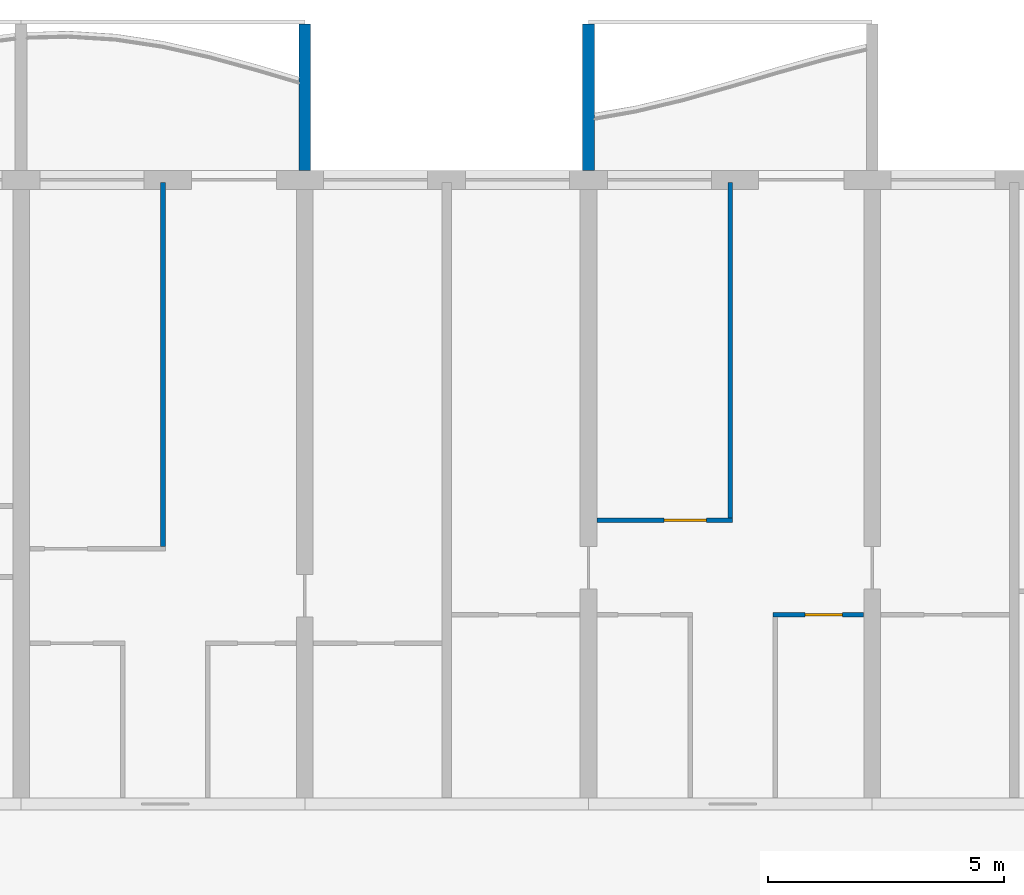
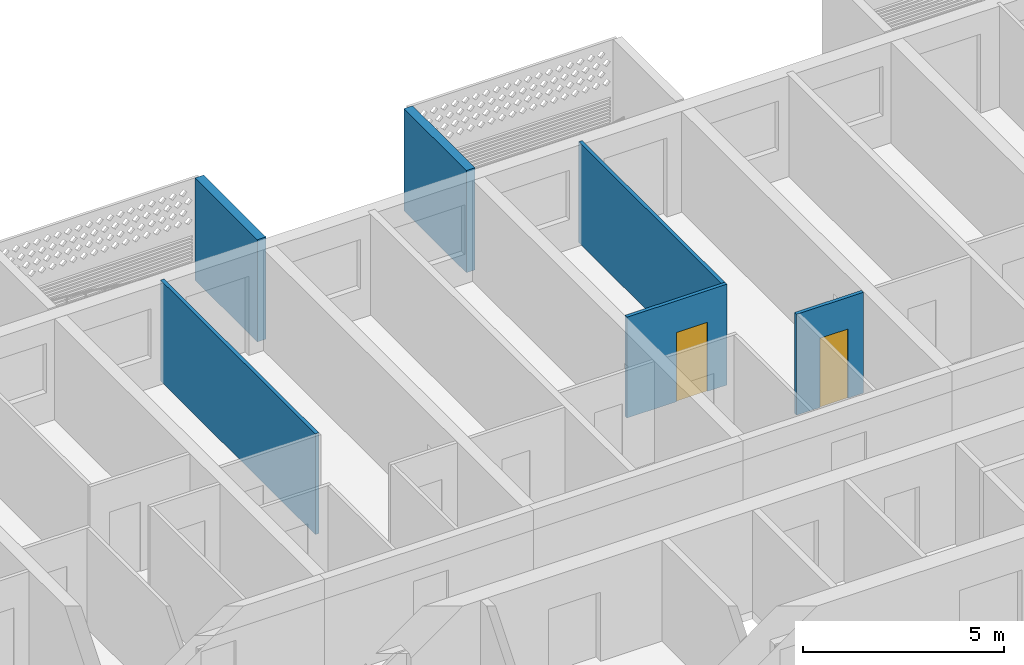
# One storey, part 11 of 25: 6 walls, 2 doors, 2 openings.
"""IFC4 building model written with IfcOpenShell, lengths in metres."""

from ifc_helpers import new_model, si_unit, direction, frame, frame_2d, origin, place, context, subcontext, project, spatial, polyline, rectangle, outline, extrude, source, transform, mapped, material, layer, layer_set, type_object, element, fill, save


model = new_model("IFC4")

# Units and contexts
model_context = context("Model", 3, precision=1e-05, world=origin(), true_north=direction((0.0, 1.0)))
body_context = subcontext(model_context, "Body", "Model", "MODEL_VIEW")
ifc_project = project(units=[si_unit("LENGTHUNIT", "METRE"), si_unit("AREAUNIT", "SQUARE_METRE"), si_unit("VOLUMEUNIT", "CUBIC_METRE"), si_unit("PLANEANGLEUNIT", "RADIAN"), si_unit("MASSUNIT", "GRAM", prefix="KILO")], contexts=[model_context])

# Site, building, storey
site_placement = place(None, origin())
site = spatial("IfcSite", under=ifc_project, at=site_placement, CompositionType="ELEMENT")
building_placement = place(site_placement, origin())
building = spatial("IfcBuilding", under=site, at=building_placement, Name="Poui Terraces", CompositionType="ELEMENT")
storey_placement = place(building_placement, frame((0.0, 0.0, 89.39990234375)))
storey = spatial("IfcBuildingStorey", under=building, at=storey_placement, Name="L24", CompositionType="ELEMENT", Elevation=89.39990234375)

# Wall, opening, door
ifc_material_1 = material(Name="Plasterboard partition")
ifc_layer_1 = layer(ifc_material_1, 0.10009765625)
ifc_layer_set_1 = layer_set([ifc_layer_1], Name="Plasterboard partition")
wall_type_1 = type_object("IfcWallType", Name="FLAT PARTITION 100", PredefinedType="PARTITIONING", material=ifc_layer_set_1)
wall_1_placement = place(storey_placement, frame((51.89990234375, 34.39990234375, 0.0), z_axis=(0.0, 0.0, 1.0), x_axis=(1.0, 0.0, 0.0)))
wall_1 = element("IfcWall", 1, at=wall_1_placement, inside=storey, type_object=wall_type_1, Name="FLAT PARTITION 100", PredefinedType="PARTITIONING", context=body_context, shape_type="SweptSolid", body=[
    extrude(rectangle(XDim=1.9150390625, YDim=0.10009765625, at=frame_2d((0.95751953125, 0.0))), origin(), (0.0, 0.0, 1.0), 3.06005859375),
])
opening_1_placement = place(wall_1_placement, frame((0.675048828125, 0.0, 0.0)))
opening_1 = element("IfcOpeningElement", 2, at=opening_1_placement, cuts=wall_1, Name="Opening D80", PredefinedType="OPENING", context=body_context, shape_type="SweptSolid", body=[
    extrude(rectangle(XDim=0.800048828125, YDim=2.10009765625, at=frame_2d((0.39990234375, 1.050048828125))), frame((0.0, 0.06005859375, 0.0), z_axis=(0.0, -1.0, 0.0), x_axis=(1.0, 0.0, 0.0)), (0.0, 0.0, 1.0), 0.1201171875),
])
ifc_material_2 = material(Name="Solid core timber door", Category="wood")
door_type_1 = type_object("IfcDoorType", Name="BATHROOM, LAUNDRY AND STORE DOOR 800 X 2100", OperationType="NOTDEFINED", PredefinedType="DOOR", material=ifc_material_2)
door_1_placement = place(opening_1_placement, frame((0.800048828125, 0.0, 0.0), z_axis=(0.0, 0.0, 1.0), x_axis=(-1.0, 0.0, 0.0)))
door_1 = element("IfcDoor", 3, at=door_1_placement, inside=storey, type_object=door_type_1, Name="BATHROOM, LAUNDRY AND STORE DOOR 059", OperationType="SINGLE_SWING_RIGHT", OverallHeight=2.10009765625, OverallWidth=0.800048828125, PredefinedType="DOOR", context=body_context, shape_type="SweptSolid", body=[
    extrude(rectangle(XDim=0.800048828125, YDim=2.10009765625, at=frame_2d((0.39990234375, 1.050048828125))), frame((0.0, 0.02490234375, 0.0), z_axis=(0.0, -1.0, 0.0), x_axis=(1.0, 0.0, 0.0)), (0.0, 0.0, 1.0), 0.050048828125),
])
fill(opening_1, door_1)

wall_2_placement = place(storey_placement, frame((48.18505859375, 36.39990234375, 0.0), z_axis=(0.0, 0.0, 1.0), x_axis=(1.0, 0.0, 0.0)))
wall_2 = element("IfcWall", 4, at=wall_2_placement, inside=storey, type_object=wall_type_1, Name="FLAT PARTITION 100", PredefinedType="PARTITIONING", context=body_context, shape_type="SweptSolid", body=[
    extrude(rectangle(XDim=2.864990234375, YDim=0.10009765625, at=frame_2d((1.4326171875, 0.0))), origin(), (0.0, 0.0, 1.0), 3.06005859375),
])
opening_2_placement = place(wall_2_placement, frame((1.4150390625, 0.0, 0.0)))
opening_2 = element("IfcOpeningElement", 5, at=opening_2_placement, cuts=wall_2, Name="Opening D90", PredefinedType="OPENING", context=body_context, shape_type="SweptSolid", body=[
    extrude(rectangle(XDim=0.89990234375, YDim=2.10009765625, at=frame_2d((0.449951171875, 1.050048828125))), frame((0.0, 0.06005859375, 0.0), z_axis=(0.0, -1.0, 0.0), x_axis=(1.0, 0.0, 0.0)), (0.0, 0.0, 1.0), 0.1201171875),
])
door_type_2 = type_object("IfcDoorType", Name="INTERNAL DOOR 900 X 2100", OperationType="NOTDEFINED", PredefinedType="DOOR", material=ifc_material_2)
door_2_placement = place(opening_2_placement, frame((0.89990234375, 0.0, 0.0), z_axis=(0.0, 0.0, 1.0), x_axis=(-1.0, 0.0, 0.0)))
door_2 = element("IfcDoor", 6, at=door_2_placement, inside=storey, type_object=door_type_2, Name="INTERNAL DOOR 057", OperationType="SINGLE_SWING_RIGHT", OverallHeight=2.10009765625, OverallWidth=0.89990234375, PredefinedType="DOOR", context=body_context, shape_type="SweptSolid", body=[
    extrude(rectangle(XDim=0.89990234375, YDim=2.10009765625, at=frame_2d((0.449951171875, 1.050048828125))), frame((0.0, 0.02490234375, 0.0), z_axis=(0.0, -1.0, 0.0), x_axis=(1.0, 0.0, 0.0)), (0.0, 0.0, 1.0), 0.050048828125),
])
fill(opening_2, door_2)

# Walls
wall_3_placement = place(storey_placement, frame((39.0, 35.85009765625, 0.0), z_axis=(0.0, 0.0, 1.0), x_axis=(0.0, 1.0, 0.0)))
element("IfcWall", 7, at=wall_3_placement, inside=storey, type_object=wall_type_1, Name="FLAT PARTITION 100", PredefinedType="PARTITIONING", context=body_context, shape_type="SweptSolid", body=[
    extrude(rectangle(XDim=7.68994140625, YDim=0.10009765625, at=frame_2d((3.844970703125, 0.0))), origin(), (0.0, 0.0, 1.0), 3.06005859375),
])
wall_4_placement = place(storey_placement, frame((51.0, 36.449951171875, 0.0), z_axis=(0.0, 0.0, 1.0), x_axis=(0.0, 1.0, 0.0)))
element("IfcWall", 8, at=wall_4_placement, inside=storey, type_object=wall_type_1, Name="FLAT PARTITION 100", PredefinedType="PARTITIONING", context=body_context, shape_type="SweptSolid", body=[
    extrude(rectangle(XDim=7.090087890625, YDim=0.10009765625, at=frame_2d((3.544921875, 0.0))), origin(), (0.0, 0.0, 1.0), 3.06005859375),
])
ifc_material_3 = material(Name="Precast concrete 40 MPa", Category="concrete")
ifc_layer_2 = layer(ifc_material_3, 0.25)
ifc_layer_set_2 = layer_set([ifc_layer_2], Name="Precast concrete 40 MPa")
wall_type_2 = type_object("IfcWallType", Name="BALCONY FIN 250", PredefinedType="STANDARD", material=ifc_layer_set_2)
shared_shape = source(origin(), body_context, "Body", "SweptSolid", [
    extrude(outline(polyline([(0.0, 0.0), (0.25, 0.0), (0.25, 3.099853515625), (0.0, 3.099853515625), (0.0, 0.0)])), origin(), (0.0, 0.0, 1.0), 3.10009765625),
])
for number, where, name in (
    (9, (41.875, 43.800048828125, 0.0), "BALCONY FIN"),
    (10, (47.875, 43.800048828125, 0.0), "BALCONY FIN"),
):
    element("IfcWall", number, at=place(storey_placement, frame(where)), inside=storey, type_object=wall_type_2, Name=name, PredefinedType="STANDARD", context=body_context, shape_type="MappedRepresentation", body=[
        mapped(shared_shape, transform((0.0, 0.0, 0.0))),
    ])

save(model, "model.ifc")
